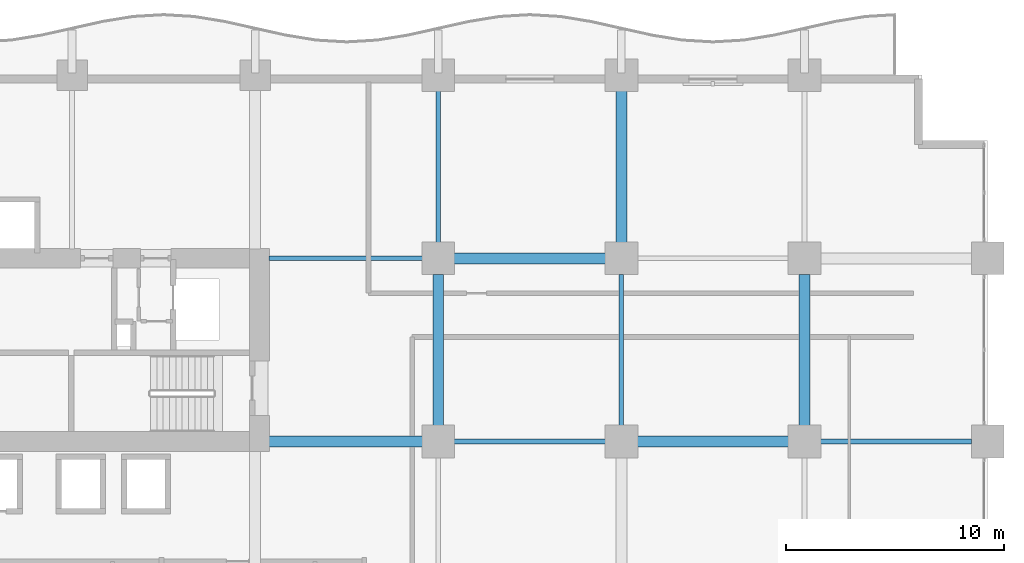
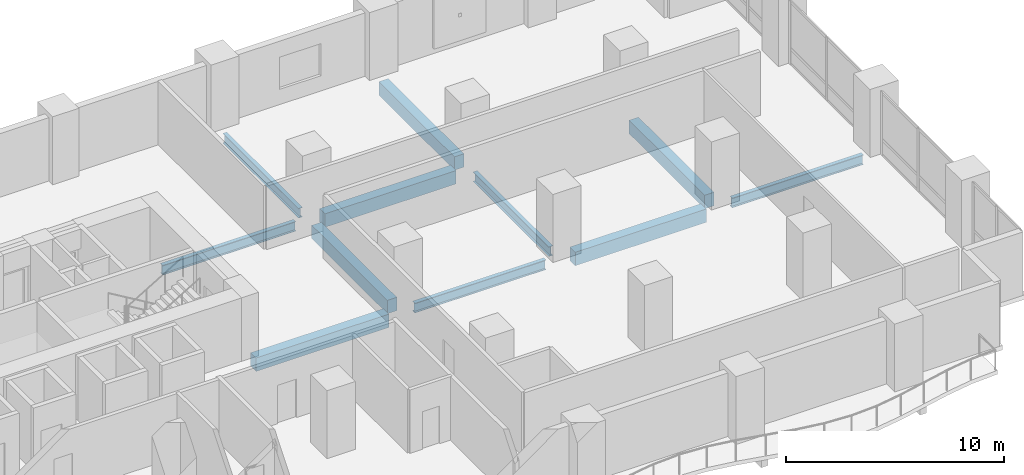
# One storey, part 5 of 27: 11 beams.
"""IFC4 building model written with IfcOpenShell, lengths in metres."""

from ifc_helpers import new_model, si_unit, direction, frame, origin, origin_2d, place, context, subcontext, project, spatial, rectangle, i_section, extrude, material, material_profile, profile_set, type_object, element, save


model = new_model("IFC4")

# Units and contexts
model_context = context("Model", 3, precision=1e-05, world=origin(), true_north=direction((0.0, 1.0)))
body_context = subcontext(model_context, "Body", "Model", "MODEL_VIEW")
ifc_project = project(units=[si_unit("LENGTHUNIT", "METRE"), si_unit("AREAUNIT", "SQUARE_METRE"), si_unit("VOLUMEUNIT", "CUBIC_METRE"), si_unit("PLANEANGLEUNIT", "RADIAN"), si_unit("MASSUNIT", "GRAM", prefix="KILO")], contexts=[model_context])

# Site, building, storey
site_placement = place(None, origin())
site = spatial("IfcSite", under=ifc_project, at=site_placement, CompositionType="ELEMENT")
building_placement = place(site_placement, origin())
building = spatial("IfcBuilding", under=site, at=building_placement, Name="Koriwani Terraces Tower", CompositionType="ELEMENT")
storey_placement = place(building_placement, frame((0.0, 0.0, 70.0)))
storey = spatial("IfcBuildingStorey", under=building, at=storey_placement, Name="L16", CompositionType="ELEMENT", Elevation=70.0)

# Beams
ifc_material_1 = material(Name="Concrete C50/60", Category="concrete")
ifc_material_profile_1 = material_profile(ifc_material_1, rectangle(XDim=0.5, YDim=0.75, at=origin_2d()), Name="Concrete C50/60", Category="LoadBearing")
ifc_profile_set_1 = profile_set([ifc_material_profile_1], Name="Concrete C50/60")
beam_type_1 = type_object("IfcBeamType", Name="BEAM_RC_GRID_500X750", PredefinedType="BEAM", material=ifc_profile_set_1)
beam_1_placement = place(storey_placement, frame((59.429931640625, 16.800048828125, -0.625), z_axis=(1.0, 0.0, 0.0), x_axis=(0.0, 1.0, 0.0)))
element("IfcBeam", 1, at=beam_1_placement, inside=storey, type_object=beam_type_1, Name="L16 Grid Beam C (58.8-67.2m)", PredefinedType="BEAM", context=body_context, shape_type="SweptSolid", body=[
    extrude(rectangle(XDim=0.5, YDim=0.75, at=origin_2d()), origin(), (0.0, 0.0, 1.0), 7.0400390625),
])
beam_2_placement = place(storey_placement, frame((76.330078125, 16.800048828125, -0.625), z_axis=(1.0, 0.0, 0.0), x_axis=(0.0, 1.0, 0.0)))
element("IfcBeam", 2, at=beam_2_placement, inside=storey, type_object=beam_type_1, Name="L16 Grid Beam C (75.6-84.0m)", PredefinedType="BEAM", context=body_context, shape_type="SweptSolid", body=[
    extrude(rectangle(XDim=0.5, YDim=0.75, at=origin_2d()), origin(), (0.0, 0.0, 1.0), 6.93994140625),
])
beam_3_placement = place(storey_placement, frame((67.929931640625, 25.199951171875, -0.625), z_axis=(1.0, 0.0, 0.0), x_axis=(0.0, 1.0, 0.0)))
element("IfcBeam", 3, at=beam_3_placement, inside=storey, type_object=beam_type_1, Name="L16 Grid Beam D (67.2-75.6m)", PredefinedType="BEAM", context=body_context, shape_type="SweptSolid", body=[
    extrude(rectangle(XDim=0.5, YDim=0.75, at=origin_2d()), origin(), (0.0, 0.0, 1.0), 6.940185546875),
])
beam_4_placement = place(storey_placement, frame((67.199951171875, 17.530029296875, -0.625), z_axis=(0.0, 1.0, 0.0), x_axis=(-1.0, 0.0, 0.0)))
element("IfcBeam", 4, at=beam_4_placement, inside=storey, type_object=beam_type_1, Name="L16 Grid Beam 9 (16.8-25.2m)", PredefinedType="BEAM", context=body_context, shape_type="SweptSolid", body=[
    extrude(rectangle(XDim=0.5, YDim=0.75, at=origin_2d()), origin(), (0.0, 0.0, 1.0), 6.93994140625),
])
beam_5_placement = place(storey_placement, frame((75.60009765625, 25.929931640625, -0.625), z_axis=(0.0, 1.0, 0.0), x_axis=(-1.0, 0.0, 0.0)))
element("IfcBeam", 5, at=beam_5_placement, inside=storey, type_object=beam_type_1, Name="L16 Grid Beam 10 (25.2-33.6m)", PredefinedType="BEAM", context=body_context, shape_type="SweptSolid", body=[
    extrude(rectangle(XDim=0.5, YDim=0.75, at=origin_2d()), origin(), (0.0, 0.0, 1.0), 6.940185546875),
])
beam_6_placement = place(storey_placement, frame((84.0, 17.530029296875, -0.625), z_axis=(0.0, 1.0, 0.0), x_axis=(-1.0, 0.0, 0.0)))
element("IfcBeam", 6, at=beam_6_placement, inside=storey, type_object=beam_type_1, Name="L16 Grid Beam 11 (16.8-25.2m)", PredefinedType="BEAM", context=body_context, shape_type="SweptSolid", body=[
    extrude(rectangle(XDim=0.5, YDim=0.75, at=origin_2d()), origin(), (0.0, 0.0, 1.0), 6.93994140625),
])
ifc_material_2 = material(Name="Steel ASTM A572 Grade 50", Category="steel")
ifc_material_profile_2 = material_profile(ifc_material_2, i_section(OverallWidth=0.2119140625, OverallDepth=0.54296875, WebThickness=0.0126953125, FlangeThickness=0.021240234375, at=origin_2d()), Name="Steel ASTM A572 Grade 50", Category="LoadBearing")
ifc_profile_set_2 = profile_set([ifc_material_profile_2], Name="Steel ASTM A572 Grade 50")
beam_type_2 = type_object("IfcBeamType", Name="STEEL_BEAM_W530X150", PredefinedType="BEAM", material=ifc_profile_set_2)
beam_7_placement = place(storey_placement, frame((67.929931640625, 16.800048828125, -0.521484375), z_axis=(1.0, 0.0, 0.0), x_axis=(0.0, 1.0, 0.0)))
element("IfcBeam", 7, at=beam_7_placement, inside=storey, type_object=beam_type_2, Name="L16 Grid Beam C (67.2-75.6m)", PredefinedType="BEAM", context=body_context, shape_type="SweptSolid", body=[
    extrude(i_section(OverallWidth=0.2119140625, OverallDepth=0.54296875, WebThickness=0.0126953125, FlangeThickness=0.021240234375, at=origin_2d()), origin(), (0.0, 0.0, 1.0), 6.940185546875),
])
beam_8_placement = place(storey_placement, frame((84.72998046875, 16.800048828125, -0.521484375), z_axis=(1.0, 0.0, 0.0), x_axis=(0.0, 1.0, 0.0)))
element("IfcBeam", 8, at=beam_8_placement, inside=storey, type_object=beam_type_2, Name="L16 Grid Beam C (84.0-92.4m)", PredefinedType="BEAM", context=body_context, shape_type="SweptSolid", body=[
    extrude(i_section(OverallWidth=0.2119140625, OverallDepth=0.54296875, WebThickness=0.0126953125, FlangeThickness=0.021240234375, at=origin_2d()), origin(), (0.0, 0.0, 1.0), 6.93994140625),
])
beam_9_placement = place(storey_placement, frame((59.429931640625, 25.199951171875, -0.521484375), z_axis=(1.0, 0.0, 0.0), x_axis=(0.0, 1.0, 0.0)))
element("IfcBeam", 9, at=beam_9_placement, inside=storey, type_object=beam_type_2, Name="L16 Grid Beam D (58.8-67.2m)", PredefinedType="BEAM", context=body_context, shape_type="SweptSolid", body=[
    extrude(i_section(OverallWidth=0.2119140625, OverallDepth=0.54296875, WebThickness=0.0126953125, FlangeThickness=0.021240234375, at=origin_2d()), origin(), (0.0, 0.0, 1.0), 7.0400390625),
])
beam_10_placement = place(storey_placement, frame((67.199951171875, 25.929931640625, -0.521484375), z_axis=(0.0, 1.0, 0.0), x_axis=(-1.0, 0.0, 0.0)))
element("IfcBeam", 10, at=beam_10_placement, inside=storey, type_object=beam_type_2, Name="L16 Grid Beam 9 (25.2-33.6m)", PredefinedType="BEAM", context=body_context, shape_type="SweptSolid", body=[
    extrude(i_section(OverallWidth=0.2119140625, OverallDepth=0.54296875, WebThickness=0.0126953125, FlangeThickness=0.021240234375, at=origin_2d()), origin(), (0.0, 0.0, 1.0), 6.940185546875),
])
beam_11_placement = place(storey_placement, frame((75.60009765625, 17.530029296875, -0.521484375), z_axis=(0.0, 1.0, 0.0), x_axis=(-1.0, 0.0, 0.0)))
element("IfcBeam", 11, at=beam_11_placement, inside=storey, type_object=beam_type_2, Name="L16 Grid Beam 10 (16.8-25.2m)", PredefinedType="BEAM", context=body_context, shape_type="SweptSolid", body=[
    extrude(i_section(OverallWidth=0.2119140625, OverallDepth=0.54296875, WebThickness=0.0126953125, FlangeThickness=0.021240234375, at=origin_2d()), origin(), (0.0, 0.0, 1.0), 6.93994140625),
])

save(model, "model.ifc")
